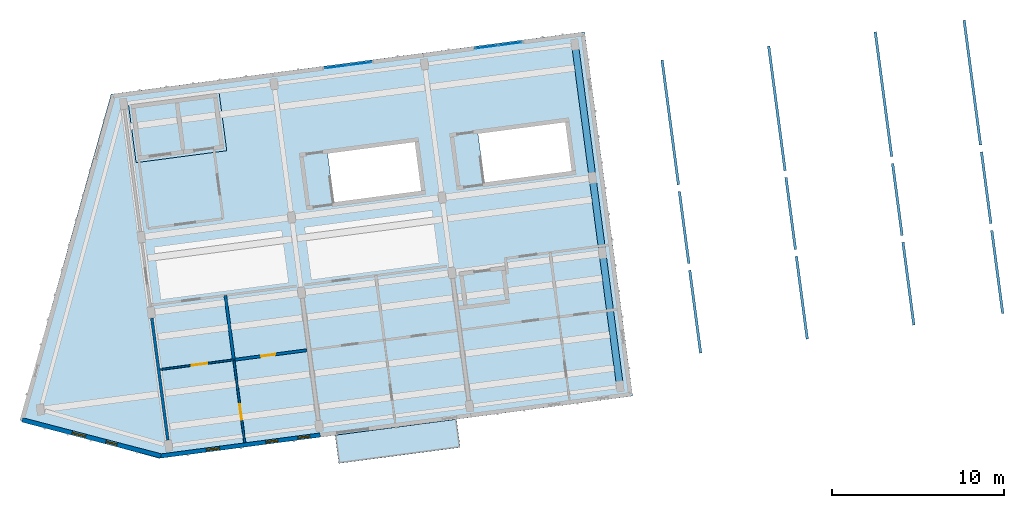
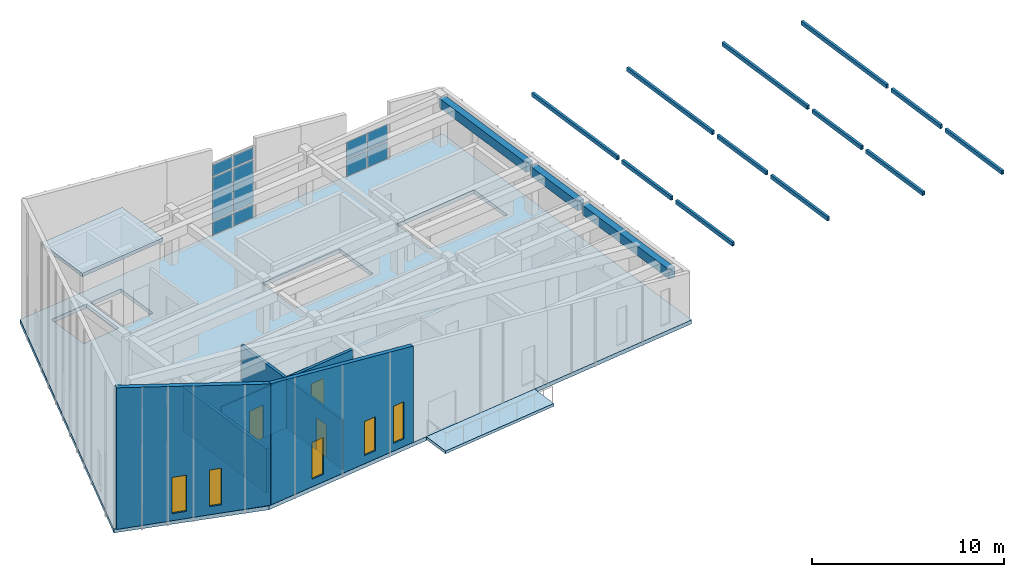
# One storey, part 4 of 10: 12 members, 10 plates, 7 walls, 5 windows, 3 beams, 3 doors, 3 slabs, 8 openings, 2 elements without a shape of their own.
"""IFC4 building model written with IfcOpenShell, lengths in metres."""

from ifc_helpers import new_model, si_unit, direction, frame, frame_2d, origin, origin_2d, place, context, subcontext, project, spatial, polyline, rectangle, hollow_rectangle, outline, extrude, material, layer, layer_set, material_profile, profile_set, type_object, element, fill, aggregate, save


model = new_model("IFC4")

# Units and contexts
model_context = context("Model", 3, precision=1e-05, world=origin(), true_north=direction((0.0, 1.0)))
body_context = subcontext(model_context, "Body", "Model", "MODEL_VIEW")
ifc_project = project(units=[si_unit("LENGTHUNIT", "METRE"), si_unit("AREAUNIT", "SQUARE_METRE"), si_unit("VOLUMEUNIT", "CUBIC_METRE"), si_unit("PLANEANGLEUNIT", "RADIAN"), si_unit("MASSUNIT", "GRAM", prefix="KILO")], contexts=[model_context])

# Site, building, storey
site_placement = place(None, origin())
site = spatial("IfcSite", under=ifc_project, at=site_placement, CompositionType="ELEMENT")
building_placement = place(site_placement, origin())
building = spatial("IfcBuilding", under=site, at=building_placement, Name="Kestramere Prow Commons", CompositionType="ELEMENT")
storey_placement = place(building_placement, frame((0.0, 0.0, 44.14990234375)))
storey = spatial("IfcBuildingStorey", under=building, at=storey_placement, Name="L13", CompositionType="ELEMENT", Elevation=44.14990234375)

# Members
ifc_material_1 = material(Name="Steel S355JR", Category="steel")
ifc_material_profile_1 = material_profile(ifc_material_1, hollow_rectangle(XDim=0.14990234375, YDim=0.25, WallThickness=0.010009765625, at=origin_2d()), Name="RHS 250x150x10")
ifc_profile_set_1 = profile_set([ifc_material_profile_1], Name="Steel S355JR")
member_type = type_object("IfcMemberType", Name="PUR-01 RHS 250x150x10", PredefinedType="PURLIN", material=ifc_profile_set_1)
member_1_placement = place(storey_placement, frame((42.049072265625, 77.37255859375, 1.925048828125), z_axis=(-0.13052482695, 0.991445041114, 0.0), x_axis=(-0.991445041114, -0.13052482695, 0.0)))
element("IfcMember", 1, at=member_1_placement, inside=storey, type_object=member_type, Name="Block A Prow Roof Purlin 1-1", PredefinedType="PURLIN", context=body_context, shape_type="SweptSolid", body=[
    extrude(hollow_rectangle(XDim=0.14990234375, YDim=0.25, WallThickness=0.010009765625, at=origin_2d()), origin(), (0.0, 0.0, 1.0), 4.85009765625),
])
member_2_placement = place(storey_placement, frame((41.36376953125, 82.57763671875, 1.925048828125), z_axis=(-0.130499622762, 0.991448358947, 0.0), x_axis=(-0.991448358947, -0.130499622762, 0.0)))
element("IfcMember", 2, at=member_2_placement, inside=storey, type_object=member_type, Name="Block A Prow Roof Purlin 1-2", PredefinedType="PURLIN", context=body_context, shape_type="SweptSolid", body=[
    extrude(hollow_rectangle(XDim=0.14990234375, YDim=0.25, WallThickness=0.010009765625, at=origin_2d()), origin(), (0.0, 0.0, 1.0), 4.199951171875),
])
member_3_placement = place(storey_placement, frame((40.763427734375, 87.13818359375, 1.925048828125), z_axis=(-0.130531508258, 0.99144416149, 0.0), x_axis=(-0.99144416149, -0.130531508258, 0.0)))
element("IfcMember", 3, at=member_3_placement, inside=storey, type_object=member_type, Name="Block A Prow Roof Purlin 1-3", PredefinedType="PURLIN", context=body_context, shape_type="SweptSolid", body=[
    extrude(hollow_rectangle(XDim=0.14990234375, YDim=0.25, WallThickness=0.010009765625, at=origin_2d()), origin(), (0.0, 0.0, 1.0), 7.300048828125),
])
member_4_placement = place(storey_placement, frame((48.23095703125, 78.1865234375, 0.8720703125), z_axis=(-0.130531341342, 0.991444183465, 0.0), x_axis=(-0.991444183465, -0.130531341342, 0.0)))
element("IfcMember", 4, at=member_4_placement, inside=storey, type_object=member_type, Name="Block A Prow Roof Purlin 2-1", PredefinedType="PURLIN", context=body_context, shape_type="SweptSolid", body=[
    extrude(hollow_rectangle(XDim=0.14990234375, YDim=0.25, WallThickness=0.010009765625, at=origin_2d()), origin(), (0.0, 0.0, 1.0), 4.849853515625),
])
member_5_placement = place(storey_placement, frame((47.545654296875, 83.3916015625, 0.8720703125), z_axis=(-0.130499622762, 0.991448358947, 0.0), x_axis=(-0.991448358947, -0.130499622762, 0.0)))
element("IfcMember", 5, at=member_5_placement, inside=storey, type_object=member_type, Name="Block A Prow Roof Purlin 2-2", PredefinedType="PURLIN", context=body_context, shape_type="SweptSolid", body=[
    extrude(hollow_rectangle(XDim=0.14990234375, YDim=0.25, WallThickness=0.010009765625, at=origin_2d()), origin(), (0.0, 0.0, 1.0), 4.199951171875),
])
member_6_placement = place(storey_placement, frame((46.9453125, 87.9521484375, 0.8720703125), z_axis=(-0.130531508258, 0.99144416149, 0.0), x_axis=(-0.99144416149, -0.130531508258, 0.0)))
element("IfcMember", 6, at=member_6_placement, inside=storey, type_object=member_type, Name="Block A Prow Roof Purlin 2-3", PredefinedType="PURLIN", context=body_context, shape_type="SweptSolid", body=[
    extrude(hollow_rectangle(XDim=0.14990234375, YDim=0.25, WallThickness=0.010009765625, at=origin_2d()), origin(), (0.0, 0.0, 1.0), 7.300048828125),
])
member_7_placement = place(storey_placement, frame((54.412841796875, 79.000244140625, -0.18115234375), z_axis=(-0.13052482695, 0.991445041114, 0.0), x_axis=(-0.991445041114, -0.13052482695, 0.0)))
element("IfcMember", 7, at=member_7_placement, inside=storey, type_object=member_type, Name="Block A Prow Roof Purlin 3-1", PredefinedType="PURLIN", context=body_context, shape_type="SweptSolid", body=[
    extrude(hollow_rectangle(XDim=0.14990234375, YDim=0.25, WallThickness=0.010009765625, at=origin_2d()), origin(), (0.0, 0.0, 1.0), 4.85009765625),
])
member_8_placement = place(storey_placement, frame((53.7275390625, 84.205322265625, -0.18115234375), z_axis=(-0.130556761174, 0.991440836415, 0.0), x_axis=(-0.991440836415, -0.130556761174, 0.0)))
element("IfcMember", 8, at=member_8_placement, inside=storey, type_object=member_type, Name="Block A Prow Roof Purlin 3-2", PredefinedType="PURLIN", context=body_context, shape_type="SweptSolid", body=[
    extrude(hollow_rectangle(XDim=0.14990234375, YDim=0.25, WallThickness=0.010009765625, at=origin_2d()), origin(), (0.0, 0.0, 1.0), 4.199951171875),
])
member_9_placement = place(storey_placement, frame((53.127197265625, 88.76611328125, -0.18115234375), z_axis=(-0.130531508258, 0.99144416149, 0.0), x_axis=(-0.99144416149, -0.130531508258, 0.0)))
element("IfcMember", 9, at=member_9_placement, inside=storey, type_object=member_type, Name="Block A Prow Roof Purlin 3-3", PredefinedType="PURLIN", context=body_context, shape_type="SweptSolid", body=[
    extrude(hollow_rectangle(XDim=0.14990234375, YDim=0.25, WallThickness=0.010009765625, at=origin_2d()), origin(), (0.0, 0.0, 1.0), 7.300048828125),
])
member_10_placement = place(storey_placement, frame((59.564208984375, 79.678466796875, -1.05859375), z_axis=(-0.13052482695, 0.991445041114, 0.0), x_axis=(-0.991445041114, -0.13052482695, 0.0)))
element("IfcMember", 10, at=member_10_placement, inside=storey, type_object=member_type, Name="Block A Prow Roof Purlin 4-1", PredefinedType="PURLIN", context=body_context, shape_type="SweptSolid", body=[
    extrude(hollow_rectangle(XDim=0.14990234375, YDim=0.25, WallThickness=0.010009765625, at=origin_2d()), origin(), (0.0, 0.0, 1.0), 4.85009765625),
])
member_11_placement = place(storey_placement, frame((58.879150390625, 84.883544921875, -1.05859375), z_axis=(-0.130556761174, 0.991440836415, 0.0), x_axis=(-0.991440836415, -0.130556761174, 0.0)))
element("IfcMember", 11, at=member_11_placement, inside=storey, type_object=member_type, Name="Block A Prow Roof Purlin 4-2", PredefinedType="PURLIN", context=body_context, shape_type="SweptSolid", body=[
    extrude(hollow_rectangle(XDim=0.14990234375, YDim=0.25, WallThickness=0.010009765625, at=origin_2d()), origin(), (0.0, 0.0, 1.0), 4.199951171875),
])
member_12_placement = place(storey_placement, frame((58.278564453125, 89.4443359375, -1.05859375), z_axis=(-0.130531508258, 0.99144416149, 0.0), x_axis=(-0.99144416149, -0.130531508258, 0.0)))
element("IfcMember", 12, at=member_12_placement, inside=storey, type_object=member_type, Name="Block A Prow Roof Purlin 4-3", PredefinedType="PURLIN", context=body_context, shape_type="SweptSolid", body=[
    extrude(hollow_rectangle(XDim=0.14990234375, YDim=0.25, WallThickness=0.010009765625, at=origin_2d()), origin(), (0.0, 0.0, 1.0), 7.300048828125),
])

# Beams
ifc_material_2 = material(Name="Precast concrete C40/50", Category="concrete")
ifc_material_profile_2 = material_profile(ifc_material_2, rectangle(XDim=0.39990234375, YDim=0.60009765625, at=origin_2d()), Name="PC-RB 400x600")
ifc_profile_set_2 = profile_set([ifc_material_profile_2], Name="Precast concrete C40/50")
beam_type = type_object("IfcBeamType", Name="RB-PR-01 PC-RB 400x600", PredefinedType="BEAM", material=ifc_profile_set_2)
beam_1_placement = place(storey_placement, frame((37.3505859375, 75.624267578125, 2.77490234375), z_axis=(-0.130502047209, 0.991448039826, 0.0), x_axis=(-0.991448039826, -0.130502047209, 0.0)))
element("IfcBeam", 13, at=beam_1_placement, inside=storey, type_object=beam_type, Name="Block A Prow Mid-Slope Transverse Girder 1", PredefinedType="BEAM", context=body_context, shape_type="SweptSolid", body=[
    extrude(rectangle(XDim=0.39990234375, YDim=0.60009765625, at=origin_2d()), origin(), (0.0, 0.0, 1.0), 7.440185546875),
])
beam_2_placement = place(storey_placement, frame((36.33251953125, 83.357666015625, 2.77490234375), z_axis=(-0.130532674459, 0.991444007949, 0.0), x_axis=(-0.991444007949, -0.130532674459, 0.0)))
element("IfcBeam", 14, at=beam_2_placement, inside=storey, type_object=beam_type, Name="Block A Prow Mid-Slope Transverse Girder 2", PredefinedType="BEAM", context=body_context, shape_type="SweptSolid", body=[
    extrude(rectangle(XDim=0.39990234375, YDim=0.60009765625, at=origin_2d()), origin(), (0.0, 0.0, 1.0), 4.0400390625),
])
beam_3_placement = place(storey_placement, frame((35.75830078125, 87.719970703125, 2.77490234375), z_axis=(-0.130534302344, 0.991443793622, 0.0), x_axis=(-0.991443793622, -0.130534302344, 0.0)))
element("IfcBeam", 15, at=beam_3_placement, inside=storey, type_object=beam_type, Name="Block A Prow Mid-Slope Transverse Girder 3", PredefinedType="BEAM", context=body_context, shape_type="SweptSolid", body=[
    extrude(rectangle(XDim=0.39990234375, YDim=0.60009765625, at=origin_2d()), origin(), (0.0, 0.0, 1.0), 7.440185546875),
])

# Curtain wall, plates
ifc_material_3 = material(Name="Anodised Aluminium and Low-E Glass", Category="aluminium")
curtain_wall_type_1 = type_object("IfcCurtainWallType", Name="CW-04 Glazed Curtain Wall 2830x4630", PredefinedType="USERDEFINED", material=ifc_material_3)
curtain_wall_1_placement = place(storey_placement, origin())
curtain_wall_1 = element("IfcCurtainWall", 16, at=curtain_wall_1_placement, inside=storey, type_object=curtain_wall_type_1, Name="Block A L13 Stairwell Vertical Glazing 2", ObjectType="GLAZED CURTAIN WALL", PredefinedType="USERDEFINED")
ifc_material_4 = material(Name="Low-E Laminated Double Glazing", Category="glass")
ifc_layer_1 = layer(ifc_material_4, 0.028076171875)
ifc_layer_set_1 = layer_set([ifc_layer_1], Name="Low-E Laminated Double Glazing")
plate_type = type_object("IfcPlateType", Name="CW-PNL-28", PredefinedType="CURTAIN_PANEL", material=ifc_layer_set_1)
plate_1_placement = place(storey_placement, frame((20.925048828125, 93.982421875, 0.0751953125), z_axis=(0.0, 0.0, 1.0), x_axis=(0.991444867297, 0.13052614723, 0.0)))
plate_1 = element("IfcPlate", 17, at=plate_1_placement, type_object=plate_type, Name="CW-04 panel 1.1", PredefinedType="CURTAIN_PANEL", context=body_context, shape_type="SweptSolid", body=[
    extrude(rectangle(XDim=1.302490234375, YDim=0.028076171875, at=origin_2d()), origin(), (0.0, 0.0, 1.0), 0.83740234375),
])
plate_2_placement = place(storey_placement, frame((20.925048828125, 93.982421875, 0.987548828125), z_axis=(0.0, 0.0, 1.0), x_axis=(0.991444867297, 0.13052614723, 0.0)))
plate_2 = element("IfcPlate", 18, at=plate_2_placement, type_object=plate_type, Name="CW-04 panel 1.2", PredefinedType="CURTAIN_PANEL", context=body_context, shape_type="SweptSolid", body=[
    extrude(rectangle(XDim=1.302490234375, YDim=0.028076171875, at=origin_2d()), origin(), (0.0, 0.0, 1.0), 2.75390625),
])
plate_3_placement = place(storey_placement, frame((20.925048828125, 93.982421875, 3.816650390625), z_axis=(0.0, 0.0, 1.0), x_axis=(0.991444867297, 0.13052614723, 0.0)))
plate_3 = element("IfcPlate", 19, at=plate_3_placement, type_object=plate_type, Name="CW-04 panel 1.3", PredefinedType="CURTAIN_PANEL", context=body_context, shape_type="SweptSolid", body=[
    extrude(rectangle(XDim=1.302490234375, YDim=0.028076171875, at=origin_2d()), origin(), (0.0, 0.0, 1.0), 0.73779296875),
])
plate_4_placement = place(storey_placement, frame((22.290771484375, 94.162353515625, 0.0751953125), z_axis=(0.0, 0.0, 1.0), x_axis=(0.991444867297, 0.13052614723, 0.0)))
plate_4 = element("IfcPlate", 20, at=plate_4_placement, type_object=plate_type, Name="CW-04 panel 2.1", PredefinedType="CURTAIN_PANEL", context=body_context, shape_type="SweptSolid", body=[
    extrude(rectangle(XDim=1.302490234375, YDim=0.028076171875, at=origin_2d()), origin(), (0.0, 0.0, 1.0), 0.83740234375),
])
plate_5_placement = place(storey_placement, frame((22.290771484375, 94.162353515625, 0.987548828125), z_axis=(0.0, 0.0, 1.0), x_axis=(0.991444867297, 0.13052614723, 0.0)))
plate_5 = element("IfcPlate", 21, at=plate_5_placement, type_object=plate_type, Name="CW-04 panel 2.2", PredefinedType="CURTAIN_PANEL", context=body_context, shape_type="SweptSolid", body=[
    extrude(rectangle(XDim=1.302490234375, YDim=0.028076171875, at=origin_2d()), origin(), (0.0, 0.0, 1.0), 2.75390625),
])
plate_6_placement = place(storey_placement, frame((22.290771484375, 94.162353515625, 3.816650390625), z_axis=(0.0, 0.0, 1.0), x_axis=(0.991444867297, 0.13052614723, 0.0)))
plate_6 = element("IfcPlate", 22, at=plate_6_placement, type_object=plate_type, Name="CW-04 panel 2.3", PredefinedType="CURTAIN_PANEL", context=body_context, shape_type="SweptSolid", body=[
    extrude(rectangle(XDim=1.302490234375, YDim=0.028076171875, at=origin_2d()), origin(), (0.0, 0.0, 1.0), 0.73779296875),
])
aggregate(curtain_wall_1, [plate_1, plate_2, plate_3, plate_4, plate_5, plate_6])

curtain_wall_type_2 = type_object("IfcCurtainWallType", Name="CW-03 Glazed Curtain Wall 2830x2320", PredefinedType="USERDEFINED", material=ifc_material_3)
curtain_wall_2_placement = place(storey_placement, origin())
curtain_wall_2 = element("IfcCurtainWall", 23, at=curtain_wall_2_placement, inside=storey, type_object=curtain_wall_type_2, Name="Block A L13 Stairwell Vertical Glazing 3", ObjectType="GLAZED CURTAIN WALL", PredefinedType="USERDEFINED")
plate_7_placement = place(storey_placement, frame((29.6474609375, 95.130859375, 0.065185546875), z_axis=(0.0, 0.0, 1.0), x_axis=(0.991444821571, 0.130526494555, 0.0)))
plate_7 = element("IfcPlate", 24, at=plate_7_placement, type_object=plate_type, Name="CW-03 panel 1.1", PredefinedType="CURTAIN_PANEL", context=body_context, shape_type="SweptSolid", body=[
    extrude(rectangle(XDim=1.3173828125, YDim=0.028076171875, at=origin_2d()), origin(), (0.0, 0.0, 1.0), 1.0625),
])
plate_8_placement = place(storey_placement, frame((29.6474609375, 95.130859375, 1.192626953125), z_axis=(0.0, 0.0, 1.0), x_axis=(0.991444821571, 0.130526494555, 0.0)))
plate_8 = element("IfcPlate", 25, at=plate_8_placement, type_object=plate_type, Name="CW-03 panel 1.2", PredefinedType="CURTAIN_PANEL", context=body_context, shape_type="SweptSolid", body=[
    extrude(rectangle(XDim=1.3173828125, YDim=0.028076171875, at=origin_2d()), origin(), (0.0, 0.0, 1.0), 1.0625),
])
plate_9_placement = place(storey_placement, frame((31.01806640625, 95.311279296875, 0.065185546875), z_axis=(0.0, 0.0, 1.0), x_axis=(0.991444821571, 0.130526494555, 0.0)))
plate_9 = element("IfcPlate", 26, at=plate_9_placement, type_object=plate_type, Name="CW-03 panel 2.1", PredefinedType="CURTAIN_PANEL", context=body_context, shape_type="SweptSolid", body=[
    extrude(rectangle(XDim=1.3173828125, YDim=0.028076171875, at=origin_2d()), origin(), (0.0, 0.0, 1.0), 1.0625),
])
plate_10_placement = place(storey_placement, frame((31.01806640625, 95.311279296875, 1.192626953125), z_axis=(0.0, 0.0, 1.0), x_axis=(0.991444821571, 0.130526494555, 0.0)))
plate_10 = element("IfcPlate", 27, at=plate_10_placement, type_object=plate_type, Name="CW-03 panel 2.2", PredefinedType="CURTAIN_PANEL", context=body_context, shape_type="SweptSolid", body=[
    extrude(rectangle(XDim=1.3173828125, YDim=0.028076171875, at=origin_2d()), origin(), (0.0, 0.0, 1.0), 1.0625),
])
aggregate(curtain_wall_2, [plate_7, plate_8, plate_9, plate_10])

# Slabs
ifc_layer_2 = layer(ifc_material_2, 0.179931640625)
ifc_layer_set_2 = layer_set([ifc_layer_2], Name="Precast concrete C40/50")
slab_type_1 = type_object("IfcSlabType", Name="SL-BALC-180", PredefinedType="FLOOR", material=ifc_layer_set_2)
slab_1_placement = place(storey_placement, frame((0.0, 0.0, -0.179931640625)))
element("IfcSlab", 28, at=slab_1_placement, inside=storey, type_object=slab_type_1, Name="Block A L13 Apartment Balcony Slab 2", PredefinedType="FLOOR", context=body_context, shape_type="SweptSolid", body=[
    extrude(outline(polyline([(21.067626953125, 70.979248046875), (28.10693359375, 71.906005859375), (27.8916015625, 73.5419921875), (20.852294921875, 72.615234375), (21.067626953125, 70.979248046875)])), origin(), (0.0, 0.0, 1.0), 0.179931640625),
])
ifc_layer_3 = layer(ifc_material_2, 0.25)
ifc_layer_set_3 = layer_set([ifc_layer_3], Name="Precast concrete C40/50")
slab_type_2 = type_object("IfcSlabType", Name="SL-HC-250", PredefinedType="FLOOR", material=ifc_layer_set_3)
slab_2_placement = place(storey_placement, frame((0.0, 0.0, 4.60009765625)))
element("IfcSlab", 29, at=slab_2_placement, inside=storey, type_object=slab_type_2, Name="Block A Internal Lift Shaft Cap Slab", PredefinedType="FLOOR", context=body_context, shape_type="SweptSolid", body=[
    extrude(outline(polyline([(9.315673828125, 88.41943359375), (14.5703125, 89.111328125), (14.113525390625, 92.581298828125), (8.85888671875, 91.8896484375), (9.315673828125, 88.41943359375)])), origin(), (0.0, 0.0, 1.0), 0.219970703125),
])
slab_3_placement = place(storey_placement, frame((0.0, 0.0, -0.25)))
element("IfcSlab", 30, at=slab_3_placement, inside=storey, type_object=slab_type_2, Name="Block A L13 Hollowcore Floor Slab", PredefinedType="FLOOR", context=body_context, shape_type="SweptSolid", body=[
    extrude(outline(polyline([(2.58203125, 73.48779296875), (10.640380859375, 71.270751953125), (38.103515625, 74.88623046875), (35.3232421875, 96.004150390625), (7.860107421875, 92.388427734375), (2.58203125, 73.48779296875)]), holes=[polyline([(9.638427734375, 88.84033203125), (11.9189453125, 89.140380859375), (11.559814453125, 91.866943359375), (9.279541015625, 91.566650390625), (9.638427734375, 88.84033203125)]), polyline([(12.166748046875, 89.173095703125), (14.149658203125, 89.43408203125), (13.790771484375, 92.16064453125), (11.807861328125, 91.899658203125), (12.166748046875, 89.173095703125)]), polyline([(20.78857421875, 86.122314453125), (25.844970703125, 86.7880859375), (25.47314453125, 89.61376953125), (20.416748046875, 88.947998046875), (20.78857421875, 86.122314453125)]), polyline([(29.513427734375, 87.27099609375), (34.56982421875, 87.936767578125), (34.19775390625, 90.76220703125), (29.141357421875, 90.0966796875), (29.513427734375, 87.27099609375)])]), origin(), (0.0, 0.0, 1.0), 0.25),
])

# Wall, openings, windows
ifc_material_5 = material(Name="Weathered Zinc-Titanium Standing-Seam Cladding")
ifc_layer_4 = layer(ifc_material_5, 0.260009765625)
ifc_layer_set_4 = layer_set([ifc_layer_4], Name="Weathered Zinc-Titanium Standing-Seam Cladding")
wall_type_1 = type_object("IfcWallType", Name="EW-PROW-260", PredefinedType="SOLIDWALL", material=ifc_layer_set_4)
wall_1_placement = place(storey_placement, frame((10.748046875, 71.410888671875, 0.0), z_axis=(0.0, 0.0, 1.0), x_axis=(-0.967694955113, 0.252123925577, 0.0)))
wall_1 = element("IfcWall", 31, at=wall_1_placement, inside=storey, type_object=wall_type_1, Name="Block A L13 PRW-S Facet Wall", PredefinedType="SOLIDWALL", context=body_context, shape_type="SweptSolid", body=[
    extrude(outline(polyline([(0.0, 0.0), (8.305419921875, 0.0), (8.305419921875, 8.999267578125), (0.0, 7.69677734375), (0.0, 0.0)])), frame((0.0, 0.1298828125, 0.0), z_axis=(0.0, -1.0, 0.0), x_axis=(1.0, 0.0, 0.0)), (0.0, 0.0, 1.0), 0.260009765625),
])
opening_1_placement = place(wall_1_placement, frame((2.6298828125, 0.0, 0.52001953125)))
opening_1 = element("IfcOpeningElement", 32, at=opening_1_placement, cuts=wall_1, Name="Opening WN-05", PredefinedType="OPENING", context=body_context, shape_type="SweptSolid", body=[
    extrude(rectangle(XDim=0.659912109375, YDim=2.320068359375, at=frame_2d((0.330078125, 1.16015625))), frame((0.0, 0.14501953125, 0.0), z_axis=(0.0, -1.0, 0.0), x_axis=(1.0, 0.0, 0.0)), (0.0, 0.0, 1.0), 0.2900390625),
])
opening_2_placement = place(wall_1_placement, frame((4.515380859375, 0.0, 0.449951171875)))
opening_2 = element("IfcOpeningElement", 33, at=opening_2_placement, cuts=wall_1, Name="Opening WN-12", PredefinedType="OPENING", context=body_context, shape_type="SweptSolid", body=[
    extrude(rectangle(XDim=0.800048828125, YDim=2.300048828125, at=frame_2d((0.39990234375, 1.14990234375))), frame((0.0, 0.14501953125, 0.0), z_axis=(0.0, -1.0, 0.0), x_axis=(1.0, 0.0, 0.0)), (0.0, 0.0, 1.0), 0.2900390625),
])
window_type_1 = type_object("IfcWindowType", Name="WN-NAR-660A", PartitioningType="SINGLE_PANEL", PredefinedType="WINDOW", material=ifc_material_4)
window_1_placement = place(opening_1_placement, origin())
window_1 = element("IfcWindow", 34, at=window_1_placement, inside=storey, type_object=window_type_1, Name="WN-A-L13-PRW-S-0", OverallHeight=2.320068359375, OverallWidth=0.659912109375, PartitioningType="SINGLE_PANEL", PredefinedType="WINDOW", context=body_context, shape_type="SweptSolid", body=[
    extrude(rectangle(XDim=0.659912109375, YDim=2.320068359375, at=frame_2d((0.330078125, 1.16015625))), frame((0.0, 0.030029296875, 0.0), z_axis=(0.0, -1.0, 0.0), x_axis=(1.0, 0.0, 0.0)), (0.0, 0.0, 1.0), 0.06005859375),
])
fill(opening_1, window_1)
window_type_2 = type_object("IfcWindowType", Name="WN-NAR-800A", PartitioningType="SINGLE_PANEL", PredefinedType="WINDOW", material=ifc_material_4)
window_2_placement = place(opening_2_placement, origin())
window_2 = element("IfcWindow", 35, at=window_2_placement, inside=storey, type_object=window_type_2, Name="WN-A-L13-PRW-S-1", OverallHeight=2.300048828125, OverallWidth=0.800048828125, PartitioningType="SINGLE_PANEL", PredefinedType="WINDOW", context=body_context, shape_type="SweptSolid", body=[
    extrude(rectangle(XDim=0.800048828125, YDim=2.300048828125, at=frame_2d((0.39990234375, 1.14990234375))), frame((0.0, 0.030029296875, 0.0), z_axis=(0.0, -1.0, 0.0), x_axis=(1.0, 0.0, 0.0)), (0.0, 0.0, 1.0), 0.06005859375),
])
fill(opening_2, window_2)

ifc_material_6 = material(Name="Fluoropolymer Standing-Seam Zinc-Aluminium Cladding", Category="aluminium")
ifc_layer_5 = layer(ifc_material_6, 0.239990234375)
ifc_layer_set_5 = layer_set([ifc_layer_5], Name="Fluoropolymer Standing-Seam Zinc-Aluminium Cladding")
wall_type_2 = type_object("IfcWallType", Name="EW-SEAM-240", PredefinedType="SOLIDWALL", material=ifc_layer_set_5)
wall_2_placement = place(storey_placement, frame((19.9931640625, 72.628173828125, 0.0), z_axis=(0.0, 0.0, 1.0), x_axis=(-0.991442885224, -0.130541201693, 0.0)))
wall_2 = element("IfcWall", 36, at=wall_2_placement, inside=storey, type_object=wall_type_2, Name="Block A L13 South Standing-Seam Wall 1", PredefinedType="SOLIDWALL", context=body_context, shape_type="SweptSolid", body=[
    extrude(outline(polyline([(0.0, 0.0), (9.324951171875, 0.0), (9.324951171875, 7.69677734375), (0.0, 6.11865234375), (0.0, 0.0)])), frame((0.0, 0.1201171875, 0.0), z_axis=(0.0, -1.0, 0.0), x_axis=(1.0, 0.0, 0.0)), (0.0, 0.0, 1.0), 0.239990234375),
])
opening_3_placement = place(wall_2_placement, frame((0.610107421875, 0.0, 0.47998046875)))
opening_3 = element("IfcOpeningElement", 37, at=opening_3_placement, cuts=wall_2, Name="Opening WN-07", PredefinedType="OPENING", context=body_context, shape_type="SweptSolid", body=[
    extrude(rectangle(XDim=0.699951171875, YDim=2.360107421875, at=frame_2d((0.35009765625, 1.18017578125))), frame((0.0, 0.135009765625, 0.0), z_axis=(0.0, -1.0, 0.0), x_axis=(1.0, 0.0, 0.0)), (0.0, 0.0, 1.0), 0.27001953125),
])
opening_4_placement = place(wall_2_placement, frame((2.47607421875, 0.0, 0.52001953125)))
opening_4 = element("IfcOpeningElement", 38, at=opening_4_placement, cuts=wall_2, Name="Opening WN-08", PredefinedType="OPENING", context=body_context, shape_type="SweptSolid", body=[
    extrude(rectangle(XDim=0.719970703125, YDim=2.159912109375, at=frame_2d((0.35986328125, 1.080078125))), frame((0.0, 0.135009765625, 0.0), z_axis=(0.0, -1.0, 0.0), x_axis=(1.0, 0.0, 0.0)), (0.0, 0.0, 1.0), 0.27001953125),
])
opening_5_placement = place(wall_2_placement, frame((5.894287109375, 0.0, 0.47998046875)))
opening_5 = element("IfcOpeningElement", 39, at=opening_5_placement, cuts=wall_2, Name="Opening WN-10", PredefinedType="OPENING", context=body_context, shape_type="SweptSolid", body=[
    extrude(rectangle(XDim=0.760009765625, YDim=2.340087890625, at=frame_2d((0.3798828125, 1.169921875))), frame((0.0, 0.135009765625, 0.0), z_axis=(0.0, -1.0, 0.0), x_axis=(1.0, 0.0, 0.0)), (0.0, 0.0, 1.0), 0.27001953125),
])
window_type_3 = type_object("IfcWindowType", Name="WN-NAR-700A", PartitioningType="SINGLE_PANEL", PredefinedType="WINDOW", material=ifc_material_4)
window_3_placement = place(opening_3_placement, origin())
window_3 = element("IfcWindow", 40, at=window_3_placement, inside=storey, type_object=window_type_3, Name="WN-A-L13-S-0-00", OverallHeight=2.360107421875, OverallWidth=0.699951171875, PartitioningType="SINGLE_PANEL", PredefinedType="WINDOW", context=body_context, shape_type="SweptSolid", body=[
    extrude(rectangle(XDim=0.699951171875, YDim=2.360107421875, at=frame_2d((0.35009765625, 1.18017578125))), frame((0.0, 0.030029296875, 0.0), z_axis=(0.0, -1.0, 0.0), x_axis=(1.0, 0.0, 0.0)), (0.0, 0.0, 1.0), 0.06005859375),
])
fill(opening_3, window_3)
window_type_4 = type_object("IfcWindowType", Name="WN-NAR-720A", PartitioningType="SINGLE_PANEL", PredefinedType="WINDOW", material=ifc_material_4)
window_4_placement = place(opening_4_placement, origin())
window_4 = element("IfcWindow", 41, at=window_4_placement, inside=storey, type_object=window_type_4, Name="WN-A-L13-S-0-01", OverallHeight=2.159912109375, OverallWidth=0.719970703125, PartitioningType="SINGLE_PANEL", PredefinedType="WINDOW", context=body_context, shape_type="SweptSolid", body=[
    extrude(rectangle(XDim=0.719970703125, YDim=2.159912109375, at=frame_2d((0.35986328125, 1.080078125))), frame((0.0, 0.030029296875, 0.0), z_axis=(0.0, -1.0, 0.0), x_axis=(1.0, 0.0, 0.0)), (0.0, 0.0, 1.0), 0.06005859375),
])
fill(opening_4, window_4)
window_type_5 = type_object("IfcWindowType", Name="WN-NAR-760A", PartitioningType="SINGLE_PANEL", PredefinedType="WINDOW", material=ifc_material_4)
window_5_placement = place(opening_5_placement, origin())
window_5 = element("IfcWindow", 42, at=window_5_placement, inside=storey, type_object=window_type_5, Name="WN-A-L13-S-0-10", OverallHeight=2.340087890625, OverallWidth=0.760009765625, PartitioningType="SINGLE_PANEL", PredefinedType="WINDOW", context=body_context, shape_type="SweptSolid", body=[
    extrude(rectangle(XDim=0.760009765625, YDim=2.340087890625, at=frame_2d((0.3798828125, 1.169921875))), frame((0.0, 0.030029296875, 0.0), z_axis=(0.0, -1.0, 0.0), x_axis=(1.0, 0.0, 0.0)), (0.0, 0.0, 1.0), 0.06005859375),
])
fill(opening_5, window_5)

# Wall, opening, door
ifc_material_7 = material(Name="Gypsum Acoustic Drywall")
ifc_layer_6 = layer(ifc_material_7, 0.110107421875)
ifc_layer_set_6 = layer_set([ifc_layer_6], Name="Gypsum Acoustic Drywall")
wall_type_3 = type_object("IfcWallType", Name="W-PART-110", PredefinedType="PARTITIONING", material=ifc_layer_set_6)
wall_3_placement = place(storey_placement, frame((15.61328125, 72.187744140625, 0.0), z_axis=(0.0, 0.0, 1.0), x_axis=(-0.130544545786, 0.991442444908, 0.0)))
wall_3 = element("IfcWall", 43, at=wall_3_placement, inside=storey, type_object=wall_type_3, Name="Interior Partition PW-A-L13-LB-S0", PredefinedType="PARTITIONING", context=body_context, shape_type="SweptSolid", body=[
    extrude(rectangle(XDim=4.840087890625, YDim=0.110107421875, at=frame_2d((2.419921875, 0.0))), origin(), (0.0, 0.0, 1.0), 3.150146484375),
])
opening_6_placement = place(wall_3_placement, frame((1.35009765625, 0.0, 0.0)))
opening_6 = element("IfcOpeningElement", 44, at=opening_6_placement, cuts=wall_3, Name="Opening ID-08", PredefinedType="OPENING", context=body_context, shape_type="SweptSolid", body=[
    extrude(rectangle(XDim=0.89990234375, YDim=2.10009765625, at=frame_2d((0.449951171875, 1.050048828125))), frame((0.0, 0.070068359375, 0.0), z_axis=(0.0, -1.0, 0.0), x_axis=(1.0, 0.0, 0.0)), (0.0, 0.0, 1.0), 0.14013671875),
])
ifc_material_8 = material(Name="Engineered Timber Flush Door", Category="wood")
door_type_1 = type_object("IfcDoorType", Name="D-RM-01", OperationType="NOTDEFINED", PredefinedType="DOOR", material=ifc_material_8)
door_1_placement = place(opening_6_placement, origin())
door_1 = element("IfcDoor", 45, at=door_1_placement, inside=storey, type_object=door_type_1, Name="Interior Door DR-A-L13-BED-S0", OperationType="SINGLE_SWING_LEFT", OverallHeight=2.10009765625, OverallWidth=0.89990234375, PredefinedType="DOOR", context=body_context, shape_type="SweptSolid", body=[
    extrude(rectangle(XDim=0.89990234375, YDim=2.10009765625, at=frame_2d((0.449951171875, 1.050048828125))), frame((0.0, 0.02490234375, 0.0), z_axis=(0.0, -1.0, 0.0), x_axis=(1.0, 0.0, 0.0)), (0.0, 0.0, 1.0), 0.050048828125),
])
fill(opening_6, door_1)

ifc_layer_7 = layer(ifc_material_7, 0.094970703125)
ifc_layer_set_7 = layer_set([ifc_layer_7], Name="Gypsum Acoustic Drywall")
wall_type_4 = type_object("IfcWallType", Name="W-PART-95", PredefinedType="PARTITIONING", material=ifc_layer_set_7)
wall_4_placement = place(storey_placement, frame((10.70849609375, 76.423583984375, 0.0), z_axis=(0.0, 0.0, 1.0), x_axis=(0.991438863922, 0.130571739306, 0.0)))
wall_4 = element("IfcWall", 46, at=wall_4_placement, inside=storey, type_object=wall_type_4, Name="Interior Partition PW-A-L13-MIDS1-0", PredefinedType="PARTITIONING", context=body_context, shape_type="SweptSolid", body=[
    extrude(rectangle(XDim=4.309814453125, YDim=0.094970703125, at=frame_2d((2.15478515625, 0.0))), origin(), (0.0, 0.0, 1.0), 3.150146484375),
])
opening_7_placement = place(wall_4_placement, frame((1.85009765625, 0.0, 0.0)))
opening_7 = element("IfcOpeningElement", 47, at=opening_7_placement, cuts=wall_4, Name="Opening ID-08", PredefinedType="OPENING", context=body_context, shape_type="SweptSolid", body=[
    extrude(rectangle(XDim=0.89990234375, YDim=2.10009765625, at=frame_2d((0.449951171875, 1.050048828125))), frame((0.0, 0.0625, 0.0), z_axis=(0.0, -1.0, 0.0), x_axis=(1.0, 0.0, 0.0)), (0.0, 0.0, 1.0), 0.125),
])
door_2_placement = place(opening_7_placement, origin())
door_2 = element("IfcDoor", 48, at=door_2_placement, inside=storey, type_object=door_type_1, Name="Interior Door DR-A-L13-KL-S0", OperationType="SINGLE_SWING_RIGHT", OverallHeight=2.10009765625, OverallWidth=0.89990234375, PredefinedType="DOOR", context=body_context, shape_type="SweptSolid", body=[
    extrude(rectangle(XDim=0.89990234375, YDim=2.10009765625, at=frame_2d((0.449951171875, 1.050048828125))), frame((0.0, 0.02490234375, 0.0), z_axis=(0.0, -1.0, 0.0), x_axis=(1.0, 0.0, 0.0)), (0.0, 0.0, 1.0), 0.050048828125),
])
fill(opening_7, door_2)

# Wall
ifc_material_9 = material(Name="Waterproof Sanitary Masonry Wall", Category="masonry")
ifc_layer_8 = layer(ifc_material_9, 0.1650390625)
ifc_layer_set_8 = layer_set([ifc_layer_8], Name="Waterproof Sanitary Masonry Wall")
wall_type_5 = type_object("IfcWallType", Name="W-PLUMB-150", PredefinedType="PLUMBINGWALL", material=ifc_layer_set_8)
wall_5_placement = place(storey_placement, frame((11.15625, 72.33203125, 0.0), z_axis=(0.0, 0.0, 1.0), x_axis=(-0.130526257258, 0.991444852811, 0.0)))
element("IfcWall", 49, at=wall_5_placement, inside=storey, type_object=wall_type_5, Name="Interior Partition PW-A-L13-PRWW-S", PredefinedType="PLUMBINGWALL", context=body_context, shape_type="SweptSolid", body=[
    extrude(rectangle(XDim=7.130126953125, YDim=0.1650390625, at=frame_2d((3.56494140625, 0.0))), origin(), (0.0, 0.0, 1.0), 2.830078125),
])

# Wall, opening, door
wall_6_placement = place(storey_placement, frame((14.9814453125, 76.986328125, 0.0), z_axis=(0.0, 0.0, 1.0), x_axis=(0.991444014242, 0.130532626667, 0.0)))
wall_6 = element("IfcWall", 50, at=wall_6_placement, inside=storey, type_object=wall_type_5, Name="Interior Partition PW-A-L13-MIDS2-0", PredefinedType="PLUMBINGWALL", context=body_context, shape_type="SweptSolid", body=[
    extrude(rectangle(XDim=4.284912109375, YDim=0.1650390625, at=frame_2d((2.142578125, 0.0))), origin(), (0.0, 0.0, 1.0), 3.150146484375),
])
opening_8_placement = place(wall_6_placement, frame((1.60009765625, 0.0, 0.0)))
opening_8 = element("IfcOpeningElement", 51, at=opening_8_placement, cuts=wall_6, Name="Opening ID-11", PredefinedType="OPENING", context=body_context, shape_type="SweptSolid", body=[
    extrude(rectangle(XDim=0.820068359375, YDim=2.080078125, at=frame_2d((0.41015625, 1.0400390625))), frame((0.0, 0.097412109375, 0.0), z_axis=(0.0, -1.0, 0.0), x_axis=(1.0, 0.0, 0.0)), (0.0, 0.0, 1.0), 0.195068359375),
])
ifc_material_10 = material(Name="Moisture-Resistant Timber Bathroom Door", Category="wood")
door_type_2 = type_object("IfcDoorType", Name="D-BT-01", OperationType="NOTDEFINED", PredefinedType="DOOR", material=ifc_material_10)
door_3_placement = place(opening_8_placement, origin())
door_3 = element("IfcDoor", 52, at=door_3_placement, inside=storey, type_object=door_type_2, Name="Interior Door DR-A-L13-BTH-S0", OperationType="SINGLE_SWING_LEFT", OverallHeight=2.080078125, OverallWidth=0.820068359375, PredefinedType="DOOR", context=body_context, shape_type="SweptSolid", body=[
    extrude(rectangle(XDim=0.820068359375, YDim=2.080078125, at=frame_2d((0.41015625, 1.0400390625))), frame((0.0, 0.02490234375, 0.0), z_axis=(0.0, -1.0, 0.0), x_axis=(1.0, 0.0, 0.0)), (0.0, 0.0, 1.0), 0.050048828125),
])
fill(opening_8, door_3)

# Wall
wall_7_placement = place(storey_placement, frame((14.9814453125, 76.986328125, 0.0), z_axis=(0.0, 0.0, 1.0), x_axis=(-0.130496394248, 0.991448783896, 0.0)))
element("IfcWall", 53, at=wall_7_placement, inside=storey, type_object=wall_type_5, Name="Interior Partition PW-A-L13-KB-S0", PredefinedType="PLUMBINGWALL", context=body_context, shape_type="SweptSolid", body=[
    extrude(rectangle(XDim=3.769775390625, YDim=0.1650390625, at=frame_2d((1.884765625, 0.0))), origin(), (0.0, 0.0, 1.0), 3.150146484375),
])

save(model, "model.ifc")
